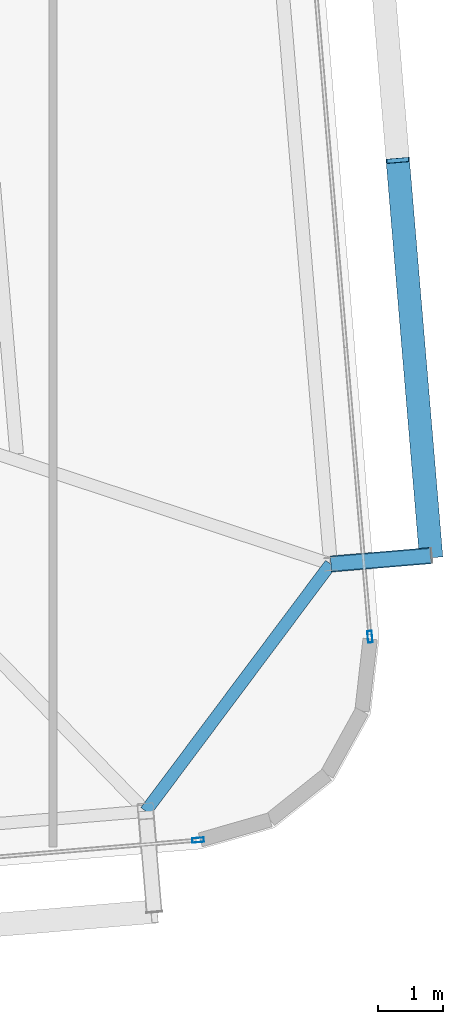
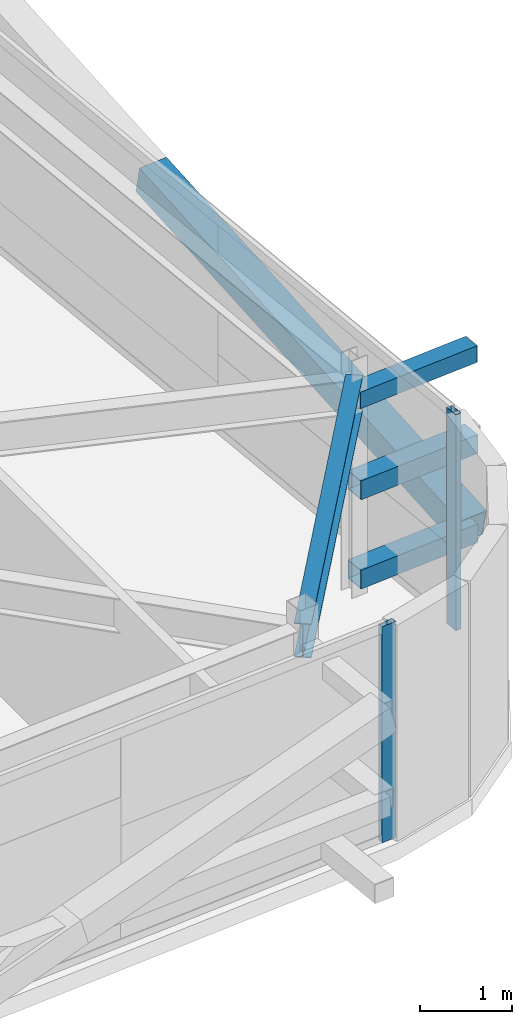
# One storey, part 18 of 39: 6 members, 1 beam, 2 elements without a shape of their own.
"""IFC4 building model written with IfcOpenShell, lengths in metres."""

from ifc_helpers import new_model, si_unit, direction, frame, origin, origin_2d, place, context, subcontext, project, spatial, hollow_rectangle, i_section, extrude, source, transform, mapped, material, layer, layer_set, material_profile, profile_set, type_object, element, aggregate, save


model = new_model("IFC4")

# Units and contexts
model_context = context("Model", 3, precision=1e-05, world=origin(), true_north=direction((0.0, 1.0)))
body_context = subcontext(model_context, "Body", "Model", "MODEL_VIEW")
ifc_project = project(units=[si_unit("LENGTHUNIT", "METRE"), si_unit("AREAUNIT", "SQUARE_METRE"), si_unit("VOLUMEUNIT", "CUBIC_METRE"), si_unit("PLANEANGLEUNIT", "RADIAN"), si_unit("MASSUNIT", "GRAM", prefix="KILO")], contexts=[model_context])

# Site, building, storey
site_placement = place(None, origin())
site = spatial("IfcSite", under=ifc_project, at=site_placement, CompositionType="ELEMENT")
building_placement = place(site_placement, origin())
building = spatial("IfcBuilding", under=site, at=building_placement, Name="Taldren Reach Tower", CompositionType="ELEMENT")
storey_placement = place(building_placement, frame((0.0, 0.0, 204.050048828125)))
storey = spatial("IfcBuildingStorey", under=building, at=storey_placement, Name="L62", CompositionType="ELEMENT", Elevation=204.050048828125)

# Beam
ifc_material_1 = material(Name="Steel Gr 350 (350PLUS)", Category="steel")
ifc_material_profile_1 = material_profile(ifc_material_1, i_section(OverallWidth=0.18994140625, OverallDepth=0.4541015625, WebThickness=0.008544921875, FlangeThickness=0.0126953125, at=origin_2d()), Name="460UB67.1")
ifc_profile_set_1 = profile_set([ifc_material_profile_1], Name="Steel Gr 350 (350PLUS)")
beam_type = type_object("IfcBeamType", Name="SP-UB460B", PredefinedType="SPANDREL", material=ifc_profile_set_1)
shared_shape_1 = source(origin(), body_context, "Body", "SweptSolid", [
    extrude(i_section(OverallWidth=0.18994140625, OverallDepth=0.4541015625, WebThickness=0.008544921875, FlangeThickness=0.0126953125, at=origin_2d()), origin(), (0.0, 0.0, 1.0), 4.746337890625),
])
beam_placement = place(storey_placement, frame((58.796142578125, 5.516357421875, 2.64306640625), z_axis=(0.598797715541, 0.800900303323, 0.0), x_axis=(-0.800900303323, 0.598797715541, 0.0)))
element("IfcBeam", 1, at=beam_placement, inside=storey, type_object=beam_type, Name="Perimeter spandrel B4 S6-E1 L62", PredefinedType="SPANDREL", context=body_context, shape_type="MappedRepresentation", body=[
    mapped(shared_shape_1, transform((0.0, 0.0, 0.0), scale=1.0)),
])

# Members
ifc_material_2 = material(Name="Steel Gr 450 (C450L0)", Category="steel")
ifc_material_profile_2 = material_profile(ifc_material_2, hollow_rectangle(XDim=0.219970703125, YDim=0.219970703125, WallThickness=0.00830078125, at=origin_2d()), Name="220x220x8.2SHS")
ifc_profile_set_2 = profile_set([ifc_material_profile_2], Name="Steel Gr 450 (C450L0)")
member_type_1 = type_object("IfcMemberType", Name="MB-TIE219", PredefinedType="STRUT", material=ifc_profile_set_2)
shared_shape_2 = source(origin(), body_context, "Body", "SweptSolid", [
    extrude(hollow_rectangle(XDim=0.219970703125, YDim=0.219970703125, WallThickness=0.00830078125, at=origin_2d()), origin(), (0.0, 0.0, 1.0), 1.545166015625),
])
member_1_placement = place(storey_placement, frame((61.642822265625, 9.31787109375, 2.58984375), z_axis=(0.996487766615, 0.083738467783, 0.0), x_axis=(-0.083738467783, 0.996487766615, 0.0)))
element("IfcMember", 2, at=member_1_placement, inside=storey, type_object=member_type_1, Name="Exoskeleton diaphragm tie strut B4-E1 L62", PredefinedType="STRUT", context=body_context, shape_type="MappedRepresentation", body=[
    mapped(shared_shape_2, transform((0.0, 0.0, 0.0), scale=1.0)),
])
ifc_material_3 = material(Name="Steel Gr 350 (C350L0)", Category="steel")
ifc_material_profile_3 = material_profile(ifc_material_3, hollow_rectangle(XDim=0.25, YDim=0.25, WallThickness=0.010009765625, at=origin_2d()), Name="250x250x10.0SHS")
ifc_profile_set_3 = profile_set([ifc_material_profile_3], Name="Steel Gr 350 (C350L0)")
member_type_2 = type_object("IfcMemberType", Name="MB-POST250", PredefinedType="POST", material=ifc_profile_set_3)
shared_shape_3 = source(origin(), body_context, "Body", "SweptSolid", [
    extrude(hollow_rectangle(XDim=0.25, YDim=0.25, WallThickness=0.010009765625, at=origin_2d()), origin(), (0.0, 0.0, 1.0), 1.545166015625),
])
for number, where, z_axis, x_axis, name in (
    (3, (61.642822265625, 9.31787109375, 0.219970703125), (0.996487766615, 0.083738467783, 0.0), (-0.083738467783, 0.996487766615, 0.0), "Exoskeleton base diaphragm tie strut B4-E1 L62"),
    (4, (61.642822265625, 9.31787109375, 1.405029296875), (0.996487766615, 0.083738467783, 0.0), (-0.083738467783, 0.996487766615, 0.0), "Exoskeleton mid-tier diaphragm tie B4-E1 L62"),
):
    element("IfcMember", number, at=place(storey_placement, frame(where, z_axis=z_axis, x_axis=x_axis)), inside=storey, type_object=member_type_2, Name=name, PredefinedType="POST", context=body_context, shape_type="MappedRepresentation", body=[
        mapped(shared_shape_3, transform((0.0, 0.0, 0.0), scale=1.0)),
    ])
ifc_material_profile_4 = material_profile(ifc_material_2, hollow_rectangle(XDim=0.360107421875, YDim=0.360107421875, WallThickness=0.0126953125, at=origin_2d()), Name="360x360x12.7SHS")
ifc_profile_set_4 = profile_set([ifc_material_profile_4], Name="Steel Gr 450 (C450L0)")
member_type_3 = type_object("IfcMemberType", Name="MB-EXO356", PredefinedType="BRACE", material=ifc_profile_set_4)
shared_shape_4 = source(origin(), body_context, "Body", "SweptSolid", [
    extrude(hollow_rectangle(XDim=0.360107421875, YDim=0.360107421875, WallThickness=0.0126953125, at=origin_2d()), origin(), (0.0, 0.0, 1.0), 6.214111328125),
])
member_2_placement = place(storey_placement, frame((63.1826171875, 9.447265625, 0.219970703125), z_axis=(-0.082152126962, 0.978203566279, 0.190706085257), x_axis=(-0.996492003099, -0.083688038336, 0.0)))
element("IfcMember", 5, at=member_2_placement, inside=storey, type_object=member_type_3, Name="Exoskeleton Diagrid Brace B4-E1 L62", PredefinedType="BRACE", context=body_context, shape_type="MappedRepresentation", body=[
    mapped(shared_shape_4, transform((0.0, 0.0, 0.0), scale=1.0)),
])

# Curtain wall, member
ifc_material_4 = material(Name="Aluminium and Low-E Glass Unitised System", Category="aluminium")
ifc_layer = layer(ifc_material_4, 0.159912109375)
ifc_layer_set = layer_set([ifc_layer], Name="Aluminium and Low-E Glass Unitised System")
curtain_wall_type = type_object("IfcCurtainWallType", Name="CW-SYS-5", PredefinedType="NOTDEFINED", material=ifc_layer_set)
curtain_wall_1_placement = place(storey_placement, origin())
curtain_wall_1 = element("IfcCurtainWall", 6, at=curtain_wall_1_placement, inside=storey, type_object=curtain_wall_type, Name="Unitised curtain wall CW-L62-S", PredefinedType="NOTDEFINED")
ifc_material_5 = material(Name="Anodised Aluminium 6063-T6", Category="aluminium")
ifc_material_profile_5 = material_profile(ifc_material_5, hollow_rectangle(XDim=0.070068359375, YDim=0.179931640625, WallThickness=0.00390625, at=origin_2d()), Name="ALU-180x70x4RHS")
ifc_profile_set_5 = profile_set([ifc_material_profile_5], Name="Anodised Aluminium 6063-T6")
member_type_4 = type_object("IfcMemberType", Name="CW-MUL-180", PredefinedType="MULLION", material=ifc_profile_set_5)
shared_shape_5 = source(origin(), body_context, "Body", "SweptSolid", [
    extrude(hollow_rectangle(XDim=0.070068359375, YDim=0.179931640625, WallThickness=0.00390625, at=origin_2d()), origin(), (0.0, 0.0, 1.0), 2.869873046875),
])
member_3_placement = place(storey_placement, frame((59.60107421875, 5.072265625, 0.0), z_axis=(0.0, 0.0, 1.0), x_axis=(-0.083677894865, 0.996492854922, 0.0)))
member_3 = element("IfcMember", 7, at=member_3_placement, type_object=member_type_4, Name="CW-5 mullion 5", PredefinedType="MULLION", context=body_context, shape_type="MappedRepresentation", body=[
    mapped(shared_shape_5, transform((0.0, 0.0, 0.0), scale=1.0)),
])
aggregate(curtain_wall_1, [member_3])

curtain_wall_2_placement = place(storey_placement, origin())
curtain_wall_2 = element("IfcCurtainWall", 8, at=curtain_wall_2_placement, inside=storey, type_object=curtain_wall_type, Name="Unitised curtain wall CW-L62-E", PredefinedType="NOTDEFINED")
member_4_placement = place(storey_placement, frame((62.243896484375, 8.199462890625, 0.0), z_axis=(0.0, 0.0, 1.0), x_axis=(-0.996492847789, -0.083677979808, 0.0)))
member_4 = element("IfcMember", 9, at=member_4_placement, type_object=member_type_4, Name="CW-5 mullion 1", PredefinedType="MULLION", context=body_context, shape_type="MappedRepresentation", body=[
    mapped(shared_shape_5, transform((0.0, 0.0, 0.0), scale=1.0)),
])
aggregate(curtain_wall_2, [member_4])

save(model, "model.ifc")
